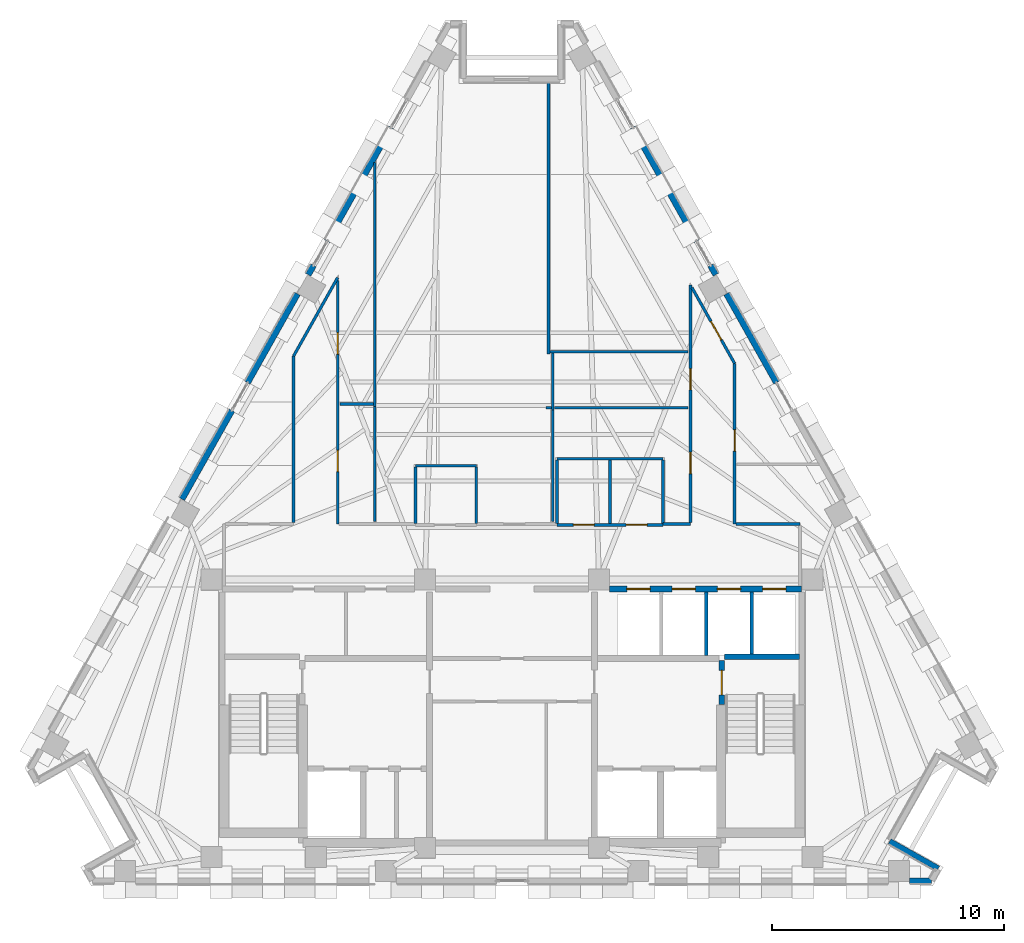
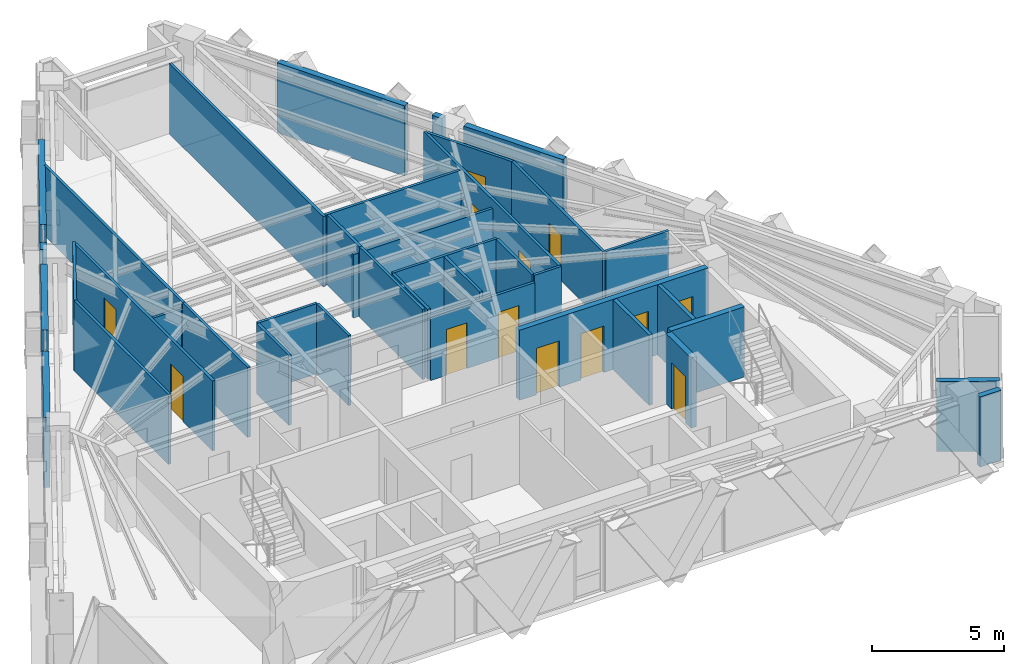
# One storey, part 8 of 12: 39 walls, 13 doors, 13 openings.
"""IFC4 building model written with IfcOpenShell, lengths in metres."""

import ifcopenshell
import ifcopenshell.guid

model = None  # the IFC model being written
_history = None  # IfcOwnerHistory: only IFC2X3 demands one
_inside = {}  # id of a spatial element -> (the spatial element, [elements in it])
_under = {}  # id of a project, library or spatial element -> (it, [spatial elements below it])
_declared = {}  # id of a project -> (the project, [libraries it declares])
_typed = {}  # id of a type object -> (the type object, [elements of that type])
_made_of = {}  # id of a material, layer set ... -> (it, [elements and type objects made of it])


def new_model(schema):
    """Start an empty IFC model of exactly this schema.

    Asked for "IFC4X3", IfcOpenShell would pick the latest addendum, in which some entities
    have other attributes; the version numbers below select the first issue.
    IFC2X3 requires an IfcOwnerHistory on every rooted entity: one is made here for all.
    """
    global model, _history
    if schema == "IFC4X3":
        model = ifcopenshell.file(schema_version=(4, 3, 0, 0))
    else:
        model = ifcopenshell.file(schema=schema)
    _inside.clear()
    _under.clear()
    _declared.clear()
    _typed.clear()
    _made_of.clear()
    _history = None
    if model.schema == "IFC2X3":
        org = make("IfcOrganization", Name="unknown")
        user = make(
            "IfcPersonAndOrganization",
            ThePerson=make("IfcPerson", FamilyName="unknown"),
            TheOrganization=org,
        )
        app = make(
            "IfcApplication",
            ApplicationDeveloper=org,
            Version="unknown",
            ApplicationFullName="unknown",
            ApplicationIdentifier="unknown",
        )
        _history = make(
            "IfcOwnerHistory",
            OwningUser=user,
            OwningApplication=app,
            ChangeAction="ADDED",
            CreationDate=0,
        )
    return model


def make(cls, **values):
    """One entity of the class cls with the attributes given. An attribute that is None is left unset."""
    return model.create_entity(
        cls, **{name: value for name, value in values.items() if value is not None}
    )


def rooted(cls, **values):
    """An entity with a GlobalId (a new one), such as an element, a storey or a relation."""
    return make(cls, GlobalId=ifcopenshell.guid.new(), OwnerHistory=_history, **values)


def si_unit(unit_type, name, prefix=None):
    """IfcSIUnit, for example si_unit("LENGTHUNIT", "METRE", prefix="MILLI")."""
    return make("IfcSIUnit", UnitType=unit_type, Prefix=prefix, Name=name)


def assignment(units):
    """IfcUnitAssignment: the units of a project."""
    return None if units is None else make("IfcUnitAssignment", Units=units)


def point(xyz):
    """IfcCartesianPoint."""
    return None if xyz is None else make("IfcCartesianPoint", Coordinates=xyz)


def direction(xyz):
    """IfcDirection."""
    return None if xyz is None else make("IfcDirection", DirectionRatios=xyz)


def frame(location, z_axis=None, x_axis=None):
    """IfcAxis2Placement3D, a coordinate frame: its origin and axes. An axis left out is left unset."""
    return make(
        "IfcAxis2Placement3D",
        Location=point(location),
        Axis=direction(z_axis),
        RefDirection=direction(x_axis),
    )


def frame_2d(location, x_axis=None):
    """IfcAxis2Placement2D, a coordinate frame in the plane: its origin and x axis."""
    return make(
        "IfcAxis2Placement2D", Location=point(location), RefDirection=direction(x_axis)
    )


def origin():
    """The frame at (0, 0, 0) with its axes left unset."""
    return frame((0.0, 0.0, 0.0))


def place(relative_to, where):
    """IfcLocalPlacement: puts the frame where relative to a parent placement (None: the world)."""
    return make(
        "IfcLocalPlacement", PlacementRelTo=relative_to, RelativePlacement=where
    )


def context(
    kind, dimensions, precision=None, world=None, true_north=None, identifier=None
):
    """IfcGeometricRepresentationContext, for example the 3D "Model" context."""
    return make(
        "IfcGeometricRepresentationContext",
        ContextIdentifier=identifier,
        ContextType=kind,
        CoordinateSpaceDimension=dimensions,
        Precision=precision,
        WorldCoordinateSystem=world,
        TrueNorth=true_north,
    )


def subcontext(parent, identifier, kind, view, scale=None):
    """IfcGeometricRepresentationSubContext, for example "Body" below "Model"."""
    return make(
        "IfcGeometricRepresentationSubContext",
        ContextIdentifier=identifier,
        ContextType=kind,
        ParentContext=parent,
        TargetScale=scale,
        TargetView=view,
    )


def project(units=None, contexts=None):
    """IfcProject with its units and contexts."""
    return rooted(
        "IfcProject",
        Name="project",
        RepresentationContexts=contexts,
        UnitsInContext=assignment(units),
    )


def spatial(cls, under=None, at=None, **own):
    """A site, building, storey or space (cls), placed at a placement, below another one or the project."""
    s = rooted(cls, ObjectPlacement=at, **own)
    if under is not None:
        _under.setdefault(under.id(), (under, []))[1].append(s)
    return s


def profile(cls, at=None, kind="AREA", **sizes):
    """A parametric profile (cls). Its sizes go by their IFC names, for example OverallWidth=200.0."""
    return make(cls, ProfileType=kind, Position=at, **sizes)


def rectangle(**sizes):
    """IfcRectangleProfileDef."""
    return profile("IfcRectangleProfileDef", **sizes)


def extrude(swept, where, along, depth):
    """IfcExtrudedAreaSolid: the profile swept, set in the frame where, extruded along a direction by depth."""
    return make(
        "IfcExtrudedAreaSolid",
        SweptArea=swept,
        Position=where,
        ExtrudedDirection=direction(along),
        Depth=depth,
    )


def shape(context_of_items, identifier, shape_type, items):
    """IfcShapeRepresentation: the items that make up one representation, for example the "Body"."""
    return make(
        "IfcShapeRepresentation",
        ContextOfItems=context_of_items,
        RepresentationIdentifier=identifier,
        RepresentationType=shape_type,
        Items=items,
    )


def material(Name=None, Category=None):
    """IfcMaterial."""
    return make("IfcMaterial", Name=Name, Category=Category)


def layer(
    of_material, thickness, ventilated=None, Name=None, Category=None, Priority=None
):
    """IfcMaterialLayer: one layer of a wall or slab, of a material (None: an air gap)."""
    return make(
        "IfcMaterialLayer",
        Material=of_material,
        LayerThickness=thickness,
        IsVentilated=ventilated,
        Name=Name,
        Category=Category,
        Priority=Priority,
    )


def layer_set(layers, Name=None):
    """IfcMaterialLayerSet."""
    return make("IfcMaterialLayerSet", MaterialLayers=layers, LayerSetName=Name)


def made_of(thing, what):
    """Note that an element or type object is made of a material, layer set ...; save() writes the relation."""
    if what is not None:
        _made_of.setdefault(what.id(), (what, []))[1].append(thing)
    return thing


def type_object(cls, material=None, **own):
    """A type object (cls), such as IfcWallType, which elements share."""
    return made_of(rooted(cls, **own), material)


def element(
    cls,
    number,
    at=None,
    inside=None,
    cuts=None,
    type_object=None,
    material=None,
    context=None,
    identifier="Body",
    shape_type=None,
    held_by="IfcProductDefinitionShape",
    body=None,
    shapes=None,
    **own,
):
    """One element of the class cls, such as IfcWall. Its Tag is "e" and its number.

    at: its placement. inside: the storey or other place that contains it. cuts: it is an
    opening in that element (IfcRelVoidsElement). A single representation is given by context,
    identifier, shape_type and body (its items); several are given by shapes. held_by: the class
    of the entity that holds the representations. save() writes the other relations.
    """
    e = rooted(cls, Tag="e%d" % number, ObjectPlacement=at, **own)
    if body is not None:
        shapes = [shape(context, identifier, shape_type, body)]
    if shapes is not None:
        e.Representation = make(held_by, Representations=shapes)
    if inside is not None:
        _inside.setdefault(inside.id(), (inside, []))[1].append(e)
    if cuts is not None:
        rooted(
            "IfcRelVoidsElement", RelatingBuildingElement=cuts, RelatedOpeningElement=e
        )
    if type_object is not None:
        _typed.setdefault(type_object.id(), (type_object, []))[1].append(e)
    return made_of(e, material)


def fill(opening, filler):
    """IfcRelFillsElement: the door or window that sits in an opening."""
    return rooted(
        "IfcRelFillsElement",
        RelatingOpeningElement=opening,
        RelatedBuildingElement=filler,
    )


def aggregate(whole, parts):
    """IfcRelAggregates: a whole, such as a stair, and the parts it consists of."""
    return rooted("IfcRelAggregates", RelatingObject=whole, RelatedObjects=parts)


def save(model, path):
    """Write the relations noted so far, then the file.

    IfcRelAggregates (storeys below a building ...), IfcRelContainedInSpatialStructure (elements
    in a storey), IfcRelDefinesByType, IfcRelAssociatesMaterial and IfcRelDeclares: one each for
    every whole, place, type object, material and project.
    """
    for whole, parts in _under.values():
        aggregate(whole, parts)
    for where, things in _inside.values():
        rooted(
            "IfcRelContainedInSpatialStructure",
            RelatedElements=things,
            RelatingStructure=where,
        )
    for kind, things in _typed.values():
        rooted("IfcRelDefinesByType", RelatedObjects=things, RelatingType=kind)
    for what, things in _made_of.values():
        rooted("IfcRelAssociatesMaterial", RelatedObjects=things, RelatingMaterial=what)
    for by, libraries in _declared.values():
        rooted("IfcRelDeclares", RelatingContext=by, RelatedDefinitions=libraries)
    model.write(path)


model = new_model("IFC4")

# Units and contexts
model_context = context("Model", 3, precision=1e-05, world=origin(), true_north=direction((0.0, 1.0)))
body_context = subcontext(model_context, "Body", "Model", "MODEL_VIEW")
ifc_project = project(units=[si_unit("LENGTHUNIT", "METRE"), si_unit("AREAUNIT", "SQUARE_METRE"), si_unit("VOLUMEUNIT", "CUBIC_METRE"), si_unit("PLANEANGLEUNIT", "RADIAN"), si_unit("MASSUNIT", "GRAM", prefix="KILO")], contexts=[model_context])

# Site, building, storey
site_placement = place(None, origin())
site = spatial("IfcSite", under=ifc_project, at=site_placement, CompositionType="ELEMENT")
building_placement = place(site_placement, origin())
building = spatial("IfcBuilding", under=site, at=building_placement, Name="Quenlor Broadcast Tower", CompositionType="ELEMENT")
storey_placement = place(building_placement, frame((0.0, 0.0, 211.39990234375)))
storey = spatial("IfcBuildingStorey", under=building, at=storey_placement, Name="L58", CompositionType="ELEMENT", Elevation=211.39990234375)

# Wall, opening, door
ifc_material_1 = material(Name="Concrete C40/50", Category="concrete")
ifc_layer_1 = layer(ifc_material_1, 0.25)
ifc_layer_set_1 = layer_set([ifc_layer_1], Name="Fire Rated Concrete C40/50 Core Wall 250")
wall_type_1 = type_object("IfcWallType", Name="Fire Rated Concrete C40/50 Core Wall 250", PredefinedType="PARTITIONING", material=ifc_layer_set_1)
wall_1_placement = place(storey_placement, frame((9.0400390625, -10.179931640625, 0.0), z_axis=(0.0, 0.0, 1.0), x_axis=(0.0, 1.0, 0.0)))
wall_1 = element("IfcWall", 1, at=wall_1_placement, inside=storey, type_object=wall_type_1, Name="L58 Interior Wall CW-ST2-DR", PredefinedType="PARTITIONING", context=body_context, shape_type="SweptSolid", body=[
    extrude(rectangle(XDim=1.89990234375, YDim=0.25, at=frame_2d((0.949951171875, 0.0))), origin(), (0.0, 0.0, 1.0), 3.25),
])
opening_1_placement = place(wall_1_placement, frame((0.419921875, 0.0, 0.0)))
opening_1 = element("IfcOpeningElement", 2, at=opening_1_placement, cuts=wall_1, Name="Opening FD-1", PredefinedType="OPENING", context=body_context, shape_type="SweptSolid", body=[
    extrude(rectangle(XDim=1.050048828125, YDim=2.14990234375, at=frame_2d((0.52490234375, 1.074951171875))), frame((0.0, 0.135009765625, 0.0), z_axis=(0.0, -1.0, 0.0), x_axis=(1.0, 0.0, 0.0)), (0.0, 0.0, 1.0), 0.27001953125),
])
ifc_material_2 = material(Name="Fire Rated Steel Door Leaf", Category="steel")
door_type_1 = type_object("IfcDoorType", Name="Fire Isolated Stair Door 1050x2150", OperationType="NOTDEFINED", PredefinedType="DOOR", material=ifc_material_2)
door_1_placement = place(opening_1_placement, origin())
door_1 = element("IfcDoor", 3, at=door_1_placement, inside=storey, type_object=door_type_1, Name="L58 Door DR-ST2", OperationType="SINGLE_SWING_RIGHT", OverallHeight=2.14990234375, OverallWidth=1.050048828125, PredefinedType="DOOR", context=body_context, shape_type="SweptSolid", body=[
    extrude(rectangle(XDim=1.050048828125, YDim=2.14990234375, at=frame_2d((0.52490234375, 1.074951171875))), frame((0.0, 0.02490234375, 0.0), z_axis=(0.0, -1.0, 0.0), x_axis=(1.0, 0.0, 0.0)), (0.0, 0.0, 1.0), 0.050048828125),
])
fill(opening_1, door_1)

# Wall
wall_2_placement = place(storey_placement, frame((9.159912109375, -8.1201171875, 0.0), z_axis=(0.0, 0.0, 1.0), x_axis=(1.0, 0.0, 0.0)))
element("IfcWall", 4, at=wall_2_placement, inside=storey, type_object=wall_type_1, Name="L58 Interior Wall CW-ST2-N", PredefinedType="PARTITIONING", context=body_context, shape_type="SweptSolid", body=[
    extrude(rectangle(XDim=3.219970703125, YDim=0.25, at=frame_2d((1.60986328125, 0.0))), origin(), (0.0, 0.0, 1.0), 3.25),
])

# Wall, openings, doors
wall_3_placement = place(storey_placement, frame((4.201904296875, -5.199951171875, 0.0), z_axis=(0.0, 0.0, 1.0), x_axis=(1.0, 0.0, 0.0)))
wall_3 = element("IfcWall", 5, at=wall_3_placement, inside=storey, type_object=wall_type_1, Name="L58 Interior Wall CW-N-E", PredefinedType="PARTITIONING", context=body_context, shape_type="SweptSolid", body=[
    extrude(rectangle(XDim=8.278076171875, YDim=0.25, at=frame_2d((4.13916015625, 0.0))), origin(), (0.0, 0.0, 1.0), 3.25),
])
opening_2_placement = place(wall_3_placement, frame((0.748046875, 0.0, 0.0)))
opening_2 = element("IfcOpeningElement", 6, at=opening_2_placement, cuts=wall_3, Name="Opening LD-PL-H1", PredefinedType="OPENING", context=body_context, shape_type="SweptSolid", body=[
    extrude(rectangle(XDim=1.0, YDim=2.14990234375, at=frame_2d((0.5, 1.074951171875))), frame((0.0, 0.135009765625, 0.0), z_axis=(0.0, -1.0, 0.0), x_axis=(1.0, 0.0, 0.0)), (0.0, 0.0, 1.0), 0.27001953125),
])
opening_3_placement = place(wall_3_placement, frame((2.697998046875, 0.0, 0.0)))
opening_3 = element("IfcOpeningElement", 7, at=opening_3_placement, cuts=wall_3, Name="Opening LD-PL-H2", PredefinedType="OPENING", context=body_context, shape_type="SweptSolid", body=[
    extrude(rectangle(XDim=1.0, YDim=2.14990234375, at=frame_2d((0.5, 1.074951171875))), frame((0.0, 0.135009765625, 0.0), z_axis=(0.0, -1.0, 0.0), x_axis=(1.0, 0.0, 0.0)), (0.0, 0.0, 1.0), 0.27001953125),
])
opening_4_placement = place(wall_3_placement, frame((4.64794921875, 0.0, 0.0)))
opening_4 = element("IfcOpeningElement", 8, at=opening_4_placement, cuts=wall_3, Name="Opening LD-PL-H3", PredefinedType="OPENING", context=body_context, shape_type="SweptSolid", body=[
    extrude(rectangle(XDim=1.0, YDim=2.14990234375, at=frame_2d((0.5, 1.074951171875))), frame((0.0, 0.135009765625, 0.0), z_axis=(0.0, -1.0, 0.0), x_axis=(1.0, 0.0, 0.0)), (0.0, 0.0, 1.0), 0.27001953125),
])
opening_5_placement = place(wall_3_placement, frame((6.597900390625, 0.0, 0.0)))
opening_5 = element("IfcOpeningElement", 9, at=opening_5_placement, cuts=wall_3, Name="Opening LD-PL-H4", PredefinedType="OPENING", context=body_context, shape_type="SweptSolid", body=[
    extrude(rectangle(XDim=1.0, YDim=2.14990234375, at=frame_2d((0.5, 1.074951171875))), frame((0.0, 0.135009765625, 0.0), z_axis=(0.0, -1.0, 0.0), x_axis=(1.0, 0.0, 0.0)), (0.0, 0.0, 1.0), 0.27001953125),
])
ifc_material_3 = material(Name="Brushed Stainless Steel", Category="steel")
door_type_2 = type_object("IfcDoorType", Name="Passenger Lift Sliding Landing Door 1000x2150", OperationType="NOTDEFINED", PredefinedType="DOOR", material=ifc_material_3)
door_2_placement = place(opening_2_placement, origin())
door_2 = element("IfcDoor", 10, at=door_2_placement, inside=storey, type_object=door_type_2, Name="L58 Door LD-PL-H1", OperationType="SLIDING_TO_RIGHT", OverallHeight=2.14990234375, OverallWidth=1.0, PredefinedType="DOOR", context=body_context, shape_type="SweptSolid", body=[
    extrude(rectangle(XDim=1.0, YDim=2.14990234375, at=frame_2d((0.5, 1.074951171875))), frame((0.0, 0.02490234375, 0.0), z_axis=(0.0, -1.0, 0.0), x_axis=(1.0, 0.0, 0.0)), (0.0, 0.0, 1.0), 0.050048828125),
])
fill(opening_2, door_2)
door_3_placement = place(opening_3_placement, origin())
door_3 = element("IfcDoor", 11, at=door_3_placement, inside=storey, type_object=door_type_2, Name="L58 Door LD-PL-H2", OperationType="SLIDING_TO_RIGHT", OverallHeight=2.14990234375, OverallWidth=1.0, PredefinedType="DOOR", context=body_context, shape_type="SweptSolid", body=[
    extrude(rectangle(XDim=1.0, YDim=2.14990234375, at=frame_2d((0.5, 1.074951171875))), frame((0.0, 0.02490234375, 0.0), z_axis=(0.0, -1.0, 0.0), x_axis=(1.0, 0.0, 0.0)), (0.0, 0.0, 1.0), 0.050048828125),
])
fill(opening_3, door_3)
door_4_placement = place(opening_4_placement, origin())
door_4 = element("IfcDoor", 12, at=door_4_placement, inside=storey, type_object=door_type_2, Name="L58 Door LD-PL-H3", OperationType="SLIDING_TO_RIGHT", OverallHeight=2.14990234375, OverallWidth=1.0, PredefinedType="DOOR", context=body_context, shape_type="SweptSolid", body=[
    extrude(rectangle(XDim=1.0, YDim=2.14990234375, at=frame_2d((0.5, 1.074951171875))), frame((0.0, 0.02490234375, 0.0), z_axis=(0.0, -1.0, 0.0), x_axis=(1.0, 0.0, 0.0)), (0.0, 0.0, 1.0), 0.050048828125),
])
fill(opening_4, door_4)
door_5_placement = place(opening_5_placement, origin())
door_5 = element("IfcDoor", 13, at=door_5_placement, inside=storey, type_object=door_type_2, Name="L58 Door LD-PL-H4", OperationType="SLIDING_TO_RIGHT", OverallHeight=2.14990234375, OverallWidth=1.0, PredefinedType="DOOR", context=body_context, shape_type="SweptSolid", body=[
    extrude(rectangle(XDim=1.0, YDim=2.14990234375, at=frame_2d((0.5, 1.074951171875))), frame((0.0, 0.02490234375, 0.0), z_axis=(0.0, -1.0, 0.0), x_axis=(1.0, 0.0, 0.0)), (0.0, 0.0, 1.0), 0.050048828125),
])
fill(opening_5, door_5)

# Walls
ifc_material_4 = material(Name="Gypsum Fireboard Partition", Category="other")
ifc_layer_2 = layer(ifc_material_4, 0.159912109375)
ifc_layer_set_2 = layer_set([ifc_layer_2], Name="Fire Rated Shaft and Corridor Partition 160")
wall_type_2 = type_object("IfcWallType", Name="Fire Rated Shaft and Corridor Partition 160", PredefinedType="PARTITIONING", material=ifc_layer_set_2)
wall_4_placement = place(storey_placement, frame((8.375, -8.072998046875, 0.0), z_axis=(0.0, 0.0, 1.0), x_axis=(0.0, 1.0, 0.0)))
element("IfcWall", 14, at=wall_4_placement, inside=storey, type_object=wall_type_2, Name="L58 Interior Wall CW-PLH-D2", PredefinedType="PARTITIONING", context=body_context, shape_type="SweptSolid", body=[
    extrude(rectangle(XDim=2.73291015625, YDim=0.159912109375, at=frame_2d((1.366455078125, 0.0))), origin(), (0.0, 0.0, 1.0), 3.25),
])
wall_5_placement = place(storey_placement, frame((10.324951171875, -7.992919921875, 0.0), z_axis=(0.0, 0.0, 1.0), x_axis=(0.0, 1.0, 0.0)))
element("IfcWall", 15, at=wall_5_placement, inside=storey, type_object=wall_type_2, Name="L58 Interior Wall CW-PLH-D3", PredefinedType="PARTITIONING", context=body_context, shape_type="SweptSolid", body=[
    extrude(rectangle(XDim=2.65283203125, YDim=0.159912109375, at=frame_2d((1.326416015625, 0.0))), origin(), (0.0, 0.0, 1.0), 3.25),
])
ifc_material_5 = material(Name="Gypsum Plasterboard Partition", Category="other")
ifc_layer_3 = layer(ifc_material_5, 0.1201171875)
ifc_layer_set_3 = layer_set([ifc_layer_3], Name="Standard Office Partition 120")
wall_type_3 = type_object("IfcWallType", Name="Standard Office Partition 120", PredefinedType="PARTITIONING", material=ifc_layer_set_3)
wall_6_placement = place(storey_placement, frame((-4.159912109375, 0.110107421875, 0.0), z_axis=(0.0, 0.0, 1.0), x_axis=(1.0, 0.0, 0.0)))
element("IfcWall", 16, at=wall_6_placement, inside=storey, type_object=wall_type_3, Name="L58 Interior Wall PW-AWC-N", PredefinedType="PARTITIONING", context=body_context, shape_type="SweptSolid", body=[
    extrude(rectangle(XDim=2.619873046875, YDim=0.1201171875, at=frame_2d((1.31005859375, 0.0))), origin(), (0.0, 0.0, 1.0), 3.25),
])
for number, where, z_axis, x_axis, name in (
    (17, (-4.159912109375, -2.3779296875, 0.0), (0.0, 0.0, 1.0), (0.0, 1.0, 0.0), "L58 Interior Wall PW-AWC-W"),
    (18, (-1.5400390625, -2.3779296875, 0.0), (0.0, 0.0, 1.0), (0.0, 1.0, 0.0), "L58 Interior Wall PW-AWC-E"),
):
    element("IfcWall", number, at=place(storey_placement, frame(where, z_axis=z_axis, x_axis=x_axis)), inside=storey, type_object=wall_type_3, Name=name, PredefinedType="PARTITIONING", context=body_context, shape_type="SweptSolid", body=[
        extrude(rectangle(XDim=2.426025390625, YDim=0.1201171875, at=frame_2d((1.212890625, 0.0))), origin(), (0.0, 0.0, 1.0), 3.25),
    ])

# Wall, openings, doors
wall_7_placement = place(storey_placement, frame((1.93994140625, -2.43994140625, 0.0), z_axis=(0.0, 0.0, 1.0), x_axis=(1.0, 0.0, 0.0)))
wall_7 = element("IfcWall", 19, at=wall_7_placement, inside=storey, type_object=wall_type_3, Name="L58 Interior Wall PW-WC-S", PredefinedType="PARTITIONING", context=body_context, shape_type="SweptSolid", body=[
    extrude(rectangle(XDim=4.570068359375, YDim=0.1201171875, at=frame_2d((2.28515625, 0.0))), origin(), (0.0, 0.0, 1.0), 2.94287109375),
])
opening_6_placement = place(wall_7_placement, frame((0.699951171875, 0.0, 0.0)))
opening_6 = element("IfcOpeningElement", 20, at=opening_6_placement, cuts=wall_7, Name="Opening ID-3", PredefinedType="OPENING", context=body_context, shape_type="SweptSolid", body=[
    extrude(rectangle(XDim=0.89990234375, YDim=2.1201171875, at=frame_2d((0.449951171875, 1.06005859375))), frame((0.0, 0.070068359375, 0.0), z_axis=(0.0, -1.0, 0.0), x_axis=(1.0, 0.0, 0.0)), (0.0, 0.0, 1.0), 0.14013671875),
])
opening_7_placement = place(wall_7_placement, frame((2.97998046875, 0.0, 0.0)))
opening_7 = element("IfcOpeningElement", 21, at=opening_7_placement, cuts=wall_7, Name="Opening ID-3", PredefinedType="OPENING", context=body_context, shape_type="SweptSolid", body=[
    extrude(rectangle(XDim=0.89990234375, YDim=2.1201171875, at=frame_2d((0.449951171875, 1.06005859375))), frame((0.0, 0.070068359375, 0.0), z_axis=(0.0, -1.0, 0.0), x_axis=(1.0, 0.0, 0.0)), (0.0, 0.0, 1.0), 0.14013671875),
])
ifc_material_6 = material(Name="Moisture Resistant Timber Oak", Category="wood")
door_type_3 = type_object("IfcDoorType", Name="Washroom Privacy Door 900x2120", OperationType="NOTDEFINED", PredefinedType="DOOR", material=ifc_material_6)
door_6_placement = place(opening_6_placement, origin())
door_6 = element("IfcDoor", 22, at=door_6_placement, inside=storey, type_object=door_type_3, Name="L58 Door DR-MWC", OperationType="SINGLE_SWING_LEFT", OverallHeight=2.1201171875, OverallWidth=0.89990234375, PredefinedType="DOOR", context=body_context, shape_type="SweptSolid", body=[
    extrude(rectangle(XDim=0.89990234375, YDim=2.1201171875, at=frame_2d((0.449951171875, 1.06005859375))), frame((0.0, 0.02490234375, 0.0), z_axis=(0.0, -1.0, 0.0), x_axis=(1.0, 0.0, 0.0)), (0.0, 0.0, 1.0), 0.050048828125),
])
fill(opening_6, door_6)
door_7_placement = place(opening_7_placement, origin())
door_7 = element("IfcDoor", 23, at=door_7_placement, inside=storey, type_object=door_type_3, Name="L58 Door DR-FWC", OperationType="SINGLE_SWING_RIGHT", OverallHeight=2.1201171875, OverallWidth=0.89990234375, PredefinedType="DOOR", context=body_context, shape_type="SweptSolid", body=[
    extrude(rectangle(XDim=0.89990234375, YDim=2.1201171875, at=frame_2d((0.449951171875, 1.06005859375))), frame((0.0, 0.02490234375, 0.0), z_axis=(0.0, -1.0, 0.0), x_axis=(1.0, 0.0, 0.0)), (0.0, 0.0, 1.0), 0.050048828125),
])
fill(opening_7, door_7)

# Walls
wall_8_placement = place(storey_placement, frame((1.93994140625, 0.409912109375, 0.0), z_axis=(0.0, 0.0, 1.0), x_axis=(1.0, 0.0, 0.0)))
element("IfcWall", 24, at=wall_8_placement, inside=storey, type_object=wall_type_3, Name="L58 Interior Wall PW-WC-N", PredefinedType="PARTITIONING", context=body_context, shape_type="SweptSolid", body=[
    extrude(rectangle(XDim=4.570068359375, YDim=0.1201171875, at=frame_2d((2.28515625, 0.0))), origin(), (0.0, 0.0, 1.0), 3.25),
])
for number, where, z_axis, x_axis, name in (
    (25, (1.93994140625, -2.3779296875, 0.0), (0.0, 0.0, 1.0), (0.0, 1.0, 0.0), "L58 Interior Wall PW-WC-W"),
    (26, (4.219970703125, -2.3779296875, 0.0), (0.0, 0.0, 1.0), (0.0, 1.0, 0.0), "L58 Interior Wall PW-WC-M"),
    (27, (6.510009765625, -2.3779296875, 0.0), (0.0, 0.0, 1.0), (0.0, 1.0, 0.0), "L58 Interior Wall PW-WC-E"),
):
    element("IfcWall", number, at=place(storey_placement, frame(where, z_axis=z_axis, x_axis=x_axis)), inside=storey, type_object=wall_type_3, Name=name, PredefinedType="PARTITIONING", context=body_context, shape_type="SweptSolid", body=[
        extrude(rectangle(XDim=2.725830078125, YDim=0.1201171875, at=frame_2d((1.36279296875, 0.0))), origin(), (0.0, 0.0, 1.0), 3.25),
    ])
wall_9_placement = place(storey_placement, frame((-9.409912109375, -2.337890625, 0.0), z_axis=(0.0, 0.0, 1.0), x_axis=(0.0, 1.0, 0.0)))
element("IfcWall", 28, at=wall_9_placement, inside=storey, type_object=wall_type_3, Name="L58 Interior Wall PW-CR-03", PredefinedType="PARTITIONING", context=body_context, shape_type="SweptSolid", body=[
    extrude(rectangle(XDim=7.173828125, YDim=0.1201171875, at=frame_2d((3.5869140625, 0.0))), origin(), (0.0, 0.0, 1.0), 3.25),
])
wall_10_placement = place(storey_placement, frame((-9.408935546875, 4.837890625, 0.0), z_axis=(0.0, 0.0, 1.0), x_axis=(0.490276203052, 0.871567120032, 0.0)))
element("IfcWall", 29, at=wall_10_placement, inside=storey, type_object=wall_type_3, Name="L58 Interior Wall PW-CR-04", PredefinedType="PARTITIONING", context=body_context, shape_type="SweptSolid", body=[
    extrude(rectangle(XDim=3.873291015625, YDim=0.1201171875, at=frame_2d((1.9365234375, 0.0))), origin(), (0.0, 0.0, 1.0), 3.25),
])

# Wall, openings, doors
wall_11_placement = place(storey_placement, frame((-7.510009765625, 8.087158203125, 0.0), z_axis=(0.0, 0.0, 1.0), x_axis=(0.0, -1.0, 0.0)))
wall_11 = element("IfcWall", 30, at=wall_11_placement, inside=storey, type_object=wall_type_3, Name="L58 Interior Wall PW-CR-05", PredefinedType="PARTITIONING", context=body_context, shape_type="SweptSolid", body=[
    extrude(rectangle(XDim=10.487060546875, YDim=0.1201171875, at=frame_2d((5.24365234375, 0.0))), origin(), (0.0, 0.0, 1.0), 3.25),
])
opening_8_placement = place(wall_11_placement, frame((2.2470703125, 0.0, 0.0)))
opening_8 = element("IfcOpeningElement", 31, at=opening_8_placement, cuts=wall_11, Name="Opening ID-1", PredefinedType="OPENING", context=body_context, shape_type="SweptSolid", body=[
    extrude(rectangle(XDim=0.919921875, YDim=2.1201171875, at=frame_2d((0.4599609375, 1.06005859375))), frame((0.0, 0.070068359375, 0.0), z_axis=(0.0, -1.0, 0.0), x_axis=(1.0, 0.0, 0.0)), (0.0, 0.0, 1.0), 0.14013671875),
])
opening_9_placement = place(wall_11_placement, frame((7.31396484375, 0.0, 0.0)))
opening_9 = element("IfcOpeningElement", 32, at=opening_9_placement, cuts=wall_11, Name="Opening ID-1", PredefinedType="OPENING", context=body_context, shape_type="SweptSolid", body=[
    extrude(rectangle(XDim=0.919921875, YDim=2.1201171875, at=frame_2d((0.4599609375, 1.06005859375))), frame((0.0, 0.070068359375, 0.0), z_axis=(0.0, -1.0, 0.0), x_axis=(1.0, 0.0, 0.0)), (0.0, 0.0, 1.0), 0.14013671875),
])
ifc_material_7 = material(Name="Solid Core Timber Oak", Category="wood")
door_type_4 = type_object("IfcDoorType", Name="Single Leaf Timber Office Door 920x2120", OperationType="NOTDEFINED", PredefinedType="DOOR", material=ifc_material_7)
door_8_placement = place(opening_8_placement, origin())
door_8 = element("IfcDoor", 33, at=door_8_placement, inside=storey, type_object=door_type_4, Name="L58 Door DR-RM03", OperationType="SINGLE_SWING_LEFT", OverallHeight=2.1201171875, OverallWidth=0.919921875, PredefinedType="DOOR", context=body_context, shape_type="SweptSolid", body=[
    extrude(rectangle(XDim=0.919921875, YDim=2.1201171875, at=frame_2d((0.4599609375, 1.06005859375))), frame((0.0, 0.02490234375, 0.0), z_axis=(0.0, -1.0, 0.0), x_axis=(1.0, 0.0, 0.0)), (0.0, 0.0, 1.0), 0.050048828125),
])
fill(opening_8, door_8)
door_9_placement = place(opening_9_placement, origin())
door_9 = element("IfcDoor", 34, at=door_9_placement, inside=storey, type_object=door_type_4, Name="L58 Door DR-RM07", OperationType="SINGLE_SWING_LEFT", OverallHeight=2.1201171875, OverallWidth=0.919921875, PredefinedType="DOOR", context=body_context, shape_type="SweptSolid", body=[
    extrude(rectangle(XDim=0.919921875, YDim=2.1201171875, at=frame_2d((0.4599609375, 1.06005859375))), frame((0.0, 0.02490234375, 0.0), z_axis=(0.0, -1.0, 0.0), x_axis=(1.0, 0.0, 0.0)), (0.0, 0.0, 1.0), 0.050048828125),
])
fill(opening_9, door_9)

# Wall
wall_12_placement = place(storey_placement, frame((6.511962890625, -2.39990234375, 0.0), z_axis=(0.0, 0.0, 1.0), x_axis=(1.0, 0.0, 0.0)))
element("IfcWall", 35, at=wall_12_placement, inside=storey, type_object=wall_type_3, Name="L58 Interior Wall PW-CR-06S3", PredefinedType="PARTITIONING", context=body_context, shape_type="SweptSolid", body=[
    extrude(rectangle(XDim=1.177978515625, YDim=0.1201171875, at=frame_2d((0.5888671875, 0.0))), origin(), (0.0, 0.0, 1.0), 3.25),
])

# Wall, openings, doors
wall_13_placement = place(storey_placement, frame((7.68994140625, -2.337890625, 0.0), z_axis=(0.0, 0.0, 1.0), x_axis=(0.0, 1.0, 0.0)))
wall_13 = element("IfcWall", 36, at=wall_13_placement, inside=storey, type_object=wall_type_3, Name="L58 Interior Wall PW-CR-07", PredefinedType="PARTITIONING", context=body_context, shape_type="SweptSolid", body=[
    extrude(rectangle(XDim=10.231689453125, YDim=0.1201171875, at=frame_2d((5.11572265625, 0.0))), origin(), (0.0, 0.0, 1.0), 3.25),
])
opening_10_placement = place(wall_13_placement, frame((5.7109375, 0.0, 0.0)))
opening_10 = element("IfcOpeningElement", 37, at=opening_10_placement, cuts=wall_13, Name="Opening ID-1", PredefinedType="OPENING", context=body_context, shape_type="SweptSolid", body=[
    extrude(rectangle(XDim=0.919921875, YDim=2.1201171875, at=frame_2d((0.4599609375, 1.06005859375))), frame((0.0, 0.070068359375, 0.0), z_axis=(0.0, -1.0, 0.0), x_axis=(1.0, 0.0, 0.0)), (0.0, 0.0, 1.0), 0.14013671875),
])
opening_11_placement = place(wall_13_placement, frame((2.110107421875, 0.0, 0.0)))
opening_11 = element("IfcOpeningElement", 38, at=opening_11_placement, cuts=wall_13, Name="Opening ID-1", PredefinedType="OPENING", context=body_context, shape_type="SweptSolid", body=[
    extrude(rectangle(XDim=0.919921875, YDim=2.1201171875, at=frame_2d((0.4599609375, 1.06005859375))), frame((0.0, 0.070068359375, 0.0), z_axis=(0.0, -1.0, 0.0), x_axis=(1.0, 0.0, 0.0)), (0.0, 0.0, 1.0), 0.14013671875),
])
door_10_placement = place(opening_10_placement, origin())
door_10 = element("IfcDoor", 39, at=door_10_placement, inside=storey, type_object=door_type_4, Name="L58 Door DR-RM04", OperationType="SINGLE_SWING_RIGHT", OverallHeight=2.1201171875, OverallWidth=0.919921875, PredefinedType="DOOR", context=body_context, shape_type="SweptSolid", body=[
    extrude(rectangle(XDim=0.919921875, YDim=2.1201171875, at=frame_2d((0.4599609375, 1.06005859375))), frame((0.0, 0.02490234375, 0.0), z_axis=(0.0, -1.0, 0.0), x_axis=(1.0, 0.0, 0.0)), (0.0, 0.0, 1.0), 0.050048828125),
])
fill(opening_10, door_10)
door_11_placement = place(opening_11_placement, origin())
door_11 = element("IfcDoor", 40, at=door_11_placement, inside=storey, type_object=door_type_4, Name="L58 Door DR-RM06", OperationType="SINGLE_SWING_RIGHT", OverallHeight=2.1201171875, OverallWidth=0.919921875, PredefinedType="DOOR", context=body_context, shape_type="SweptSolid", body=[
    extrude(rectangle(XDim=0.919921875, YDim=2.1201171875, at=frame_2d((0.4599609375, 1.06005859375))), frame((0.0, 0.02490234375, 0.0), z_axis=(0.0, -1.0, 0.0), x_axis=(1.0, 0.0, 0.0)), (0.0, 0.0, 1.0), 0.050048828125),
])
fill(opening_11, door_11)

# Wall, opening, door
wall_14_placement = place(storey_placement, frame((7.751953125, 7.783447265625, 0.0), z_axis=(0.0, 0.0, 1.0), x_axis=(0.490285973315, -0.871561623966, 0.0)))
wall_14 = element("IfcWall", 41, at=wall_14_placement, inside=storey, type_object=wall_type_3, Name="L58 Interior Wall PW-CR-08", PredefinedType="PARTITIONING", context=body_context, shape_type="SweptSolid", body=[
    extrude(rectangle(XDim=3.7490234375, YDim=0.1201171875, at=frame_2d((1.87451171875, 0.0))), origin(), (0.0, 0.0, 1.0), 3.25),
])
opening_12_placement = place(wall_14_placement, frame((1.6689453125, 0.0, 0.0)))
opening_12 = element("IfcOpeningElement", 42, at=opening_12_placement, cuts=wall_14, Name="Opening ID-1", PredefinedType="OPENING", context=body_context, shape_type="SweptSolid", body=[
    extrude(rectangle(XDim=0.919921875, YDim=2.1201171875, at=frame_2d((0.4599609375, 1.06005859375))), frame((0.0, 0.070068359375, 0.0), z_axis=(0.0, -1.0, 0.0), x_axis=(1.0, 0.0, 0.0)), (0.0, 0.0, 1.0), 0.14013671875),
])
door_12_placement = place(opening_12_placement, origin())
door_12 = element("IfcDoor", 43, at=door_12_placement, inside=storey, type_object=door_type_4, Name="L58 Door DR-RM01", OperationType="SINGLE_SWING_LEFT", OverallHeight=2.1201171875, OverallWidth=0.919921875, PredefinedType="DOOR", context=body_context, shape_type="SweptSolid", body=[
    extrude(rectangle(XDim=0.919921875, YDim=2.1201171875, at=frame_2d((0.4599609375, 1.06005859375))), frame((0.0, 0.02490234375, 0.0), z_axis=(0.0, -1.0, 0.0), x_axis=(1.0, 0.0, 0.0)), (0.0, 0.0, 1.0), 0.050048828125),
])
fill(opening_12, door_12)

wall_15_placement = place(storey_placement, frame((9.590087890625, 4.513671875, 0.0), z_axis=(0.0, 0.0, 1.0), x_axis=(0.0, -1.0, 0.0)))
wall_15 = element("IfcWall", 44, at=wall_15_placement, inside=storey, type_object=wall_type_3, Name="L58 Interior Wall PW-CR-09", PredefinedType="PARTITIONING", context=body_context, shape_type="SweptSolid", body=[
    extrude(rectangle(XDim=6.91357421875, YDim=0.1201171875, at=frame_2d((3.456787109375, 0.0))), origin(), (0.0, 0.0, 1.0), 3.25),
])
opening_13_placement = place(wall_15_placement, frame((2.860107421875, 0.0, 0.0)))
opening_13 = element("IfcOpeningElement", 45, at=opening_13_placement, cuts=wall_15, Name="Opening ID-1", PredefinedType="OPENING", context=body_context, shape_type="SweptSolid", body=[
    extrude(rectangle(XDim=0.919921875, YDim=2.1201171875, at=frame_2d((0.4599609375, 1.06005859375))), frame((0.0, 0.070068359375, 0.0), z_axis=(0.0, -1.0, 0.0), x_axis=(1.0, 0.0, 0.0)), (0.0, 0.0, 1.0), 0.14013671875),
])
door_13_placement = place(opening_13_placement, origin())
door_13 = element("IfcDoor", 46, at=door_13_placement, inside=storey, type_object=door_type_4, Name="L58 Door DR-RM05", OperationType="SINGLE_SWING_LEFT", OverallHeight=2.1201171875, OverallWidth=0.919921875, PredefinedType="DOOR", context=body_context, shape_type="SweptSolid", body=[
    extrude(rectangle(XDim=0.919921875, YDim=2.1201171875, at=frame_2d((0.4599609375, 1.06005859375))), frame((0.0, 0.02490234375, 0.0), z_axis=(0.0, -1.0, 0.0), x_axis=(1.0, 0.0, 0.0)), (0.0, 0.0, 1.0), 0.050048828125),
])
fill(opening_13, door_13)

# Walls
wall_16_placement = place(storey_placement, frame((9.652099609375, -2.39990234375, 0.0), z_axis=(0.0, 0.0, 1.0), x_axis=(1.0, 0.0, 0.0)))
element("IfcWall", 47, at=wall_16_placement, inside=storey, type_object=wall_type_3, Name="L58 Interior Wall PW-CR-10", PredefinedType="PARTITIONING", context=body_context, shape_type="SweptSolid", body=[
    extrude(rectangle(XDim=2.7578125, YDim=0.1201171875, at=frame_2d((1.37890625, 0.0))), origin(), (0.0, 0.0, 1.0), 3.25),
])
wall_17_placement = place(storey_placement, frame((1.570068359375, 4.919921875, 0.0), z_axis=(0.0, 0.0, 1.0), x_axis=(0.0, 1.0, 0.0)))
element("IfcWall", 48, at=wall_17_placement, inside=storey, type_object=wall_type_3, Name="L58 Interior Wall PW-DV-01", PredefinedType="PARTITIONING", context=body_context, shape_type="SweptSolid", body=[
    extrude(rectangle(XDim=11.7099609375, YDim=0.1201171875, at=frame_2d((5.85498046875, 0.0))), origin(), (0.0, 0.0, 1.0), 3.25),
])
wall_18_placement = place(storey_placement, frame((7.580078125, 5.02001953125, 0.0), z_axis=(0.0, 0.0, 1.0), x_axis=(-1.0, 0.0, 0.0)))
element("IfcWall", 49, at=wall_18_placement, inside=storey, type_object=wall_type_3, Name="L58 Interior Wall PW-DV-02", PredefinedType="PARTITIONING", context=body_context, shape_type="SweptSolid", body=[
    extrude(rectangle(XDim=5.947998046875, YDim=0.1201171875, at=frame_2d((2.97412109375, 0.0))), origin(), (0.0, 0.0, 1.0), 3.25),
])
wall_19_placement = place(storey_placement, frame((-5.909912109375, 2.66650390625, 0.0), z_axis=(0.0, 0.0, 1.0), x_axis=(0.0, 1.0, 0.0)))
element("IfcWall", 50, at=wall_19_placement, inside=storey, type_object=wall_type_3, Name="L58 Interior Wall PW-DV-03", PredefinedType="PARTITIONING", context=body_context, shape_type="SweptSolid", body=[
    extrude(rectangle(XDim=10.49853515625, YDim=0.1201171875, at=frame_2d((5.249267578125, 0.0))), origin(), (0.0, 0.0, 1.0), 3.25),
])
wall_20_placement = place(storey_placement, frame((1.760009765625, 4.9580078125, 0.0), z_axis=(0.0, 0.0, 1.0), x_axis=(0.0, -1.0, 0.0)))
element("IfcWall", 51, at=wall_20_placement, inside=storey, type_object=wall_type_3, Name="L58 Interior Wall PW-DV-04", PredefinedType="PARTITIONING", context=body_context, shape_type="SweptSolid", body=[
    extrude(rectangle(XDim=2.45166015625, YDim=0.1201171875, at=frame_2d((1.225830078125, 0.0))), origin(), (0.0, 0.0, 1.0), 3.25),
])
wall_21_placement = place(storey_placement, frame((1.760009765625, 2.50439453125, 0.0), z_axis=(0.0, 0.0, 1.0), x_axis=(0.0, -1.0, 0.0)))
element("IfcWall", 52, at=wall_21_placement, inside=storey, type_object=wall_type_3, Name="L58 Interior Wall PW-DV-05", PredefinedType="PARTITIONING", context=body_context, shape_type="SweptSolid", body=[
    extrude(rectangle(XDim=4.79443359375, YDim=0.1201171875, at=frame_2d((2.397216796875, 0.0))), origin(), (0.0, 0.0, 1.0), 3.25),
])
wall_22_placement = place(storey_placement, frame((-5.909912109375, -2.2900390625, 0.0), z_axis=(0.0, 0.0, 1.0), x_axis=(0.0, 1.0, 0.0)))
element("IfcWall", 53, at=wall_22_placement, inside=storey, type_object=wall_type_3, Name="L58 Interior Wall PW-DV-06", PredefinedType="PARTITIONING", context=body_context, shape_type="SweptSolid", body=[
    extrude(rectangle(XDim=4.954345703125, YDim=0.1201171875, at=frame_2d((2.47705078125, 0.0))), origin(), (0.0, 0.0, 1.0), 3.25),
])
wall_23_placement = place(storey_placement, frame((-5.971923828125, 2.766357421875, 0.0), z_axis=(0.0, 0.0, 1.0), x_axis=(-1.0, 0.0, 0.0)))
element("IfcWall", 54, at=wall_23_placement, inside=storey, type_object=wall_type_3, Name="L58 Interior Wall PW-DV-07", PredefinedType="PARTITIONING", context=body_context, shape_type="SweptSolid", body=[
    extrude(rectangle(XDim=1.427978515625, YDim=0.1201171875, at=frame_2d((0.7138671875, 0.0))), origin(), (0.0, 0.0, 1.0), 2.94287109375),
])
wall_24_placement = place(storey_placement, frame((7.580078125, 2.6064453125, 0.0), z_axis=(0.0, 0.0, 1.0), x_axis=(-1.0, 0.0, 0.0)))
element("IfcWall", 55, at=wall_24_placement, inside=storey, type_object=wall_type_3, Name="L58 Interior Wall PW-DV-08", PredefinedType="PARTITIONING", context=body_context, shape_type="SweptSolid", body=[
    extrude(rectangle(XDim=5.758056640625, YDim=0.1201171875, at=frame_2d((2.87890625, 0.0))), origin(), (0.0, 0.0, 1.0), 2.94287109375),
])
wall_25_placement = place(storey_placement, frame((1.697998046875, 2.6064453125, 0.0), z_axis=(0.0, 0.0, 1.0), x_axis=(-1.0, 0.0, 0.0)))
element("IfcWall", 56, at=wall_25_placement, inside=storey, type_object=wall_type_3, Name="L58 Interior Wall PW-DV-08S2", PredefinedType="PARTITIONING", context=body_context, shape_type="SweptSolid", body=[
    extrude(rectangle(XDim=0.22802734375, YDim=0.1201171875, at=frame_2d((0.114013671875, 0.0))), origin(), (0.0, 0.0, 1.0), 2.94287109375),
])
ifc_material_8 = material(Name="Precast concrete C40/50", Category="concrete")
ifc_layer_4 = layer(ifc_material_8, 0.239990234375)
ifc_layer_set_4 = layer_set([ifc_layer_4], Name="Terrace Threshold Precast Concrete C40/50 Wall 240")
wall_type_4 = type_object("IfcWallType", Name="Terrace Threshold Precast Concrete C40/50 Wall 240", PredefinedType="STANDARD", material=ifc_layer_set_4)
wall_26_placement = place(storey_placement, frame((18.06591796875, -17.77490234375, 0.0), z_axis=(0.0, 0.0, 1.0), x_axis=(-1.0, 0.0, 0.0)))
element("IfcWall", 57, at=wall_26_placement, inside=storey, type_object=wall_type_4, Name="L58 Exterior Wall L58-SHD-SS0", PredefinedType="STANDARD", context=body_context, shape_type="SweptSolid", body=[
    extrude(rectangle(XDim=0.93505859375, YDim=0.239990234375, at=frame_2d((0.467529296875, 0.0))), origin(), (0.0, 0.0, 1.0), 3.25),
])
wall_27_placement = place(storey_placement, frame((18.365966796875, -17.246826171875, 0.0), z_axis=(0.0, 0.0, 1.0), x_axis=(-0.871597270235, 0.490222600988, 0.0)))
element("IfcWall", 58, at=wall_27_placement, inside=storey, type_object=wall_type_4, Name="L58 Exterior Wall L58-CNR-01", PredefinedType="STANDARD", context=body_context, shape_type="SweptSolid", body=[
    extrude(rectangle(XDim=2.39990234375, YDim=0.239990234375, at=frame_2d((1.199951171875, 0.0))), origin(), (0.0, 0.0, 1.0), 3.25),
])
ifc_material_9 = material(Name="Precast concrete C40/50", Category="concrete")
ifc_layer_5 = layer(ifc_material_9, 0.260009765625)
ifc_layer_set_5 = layer_set([ifc_layer_5], Name="Terracotta Precast Concrete C40/50 Upper Wall 260")
wall_type_5 = type_object("IfcWallType", Name="Terracotta Precast Concrete C40/50 Upper Wall 260", PredefinedType="STANDARD", material=ifc_layer_set_5)
wall_28_placement = place(storey_placement, frame((5.2080078125, 14.682373046875, 0.0), z_axis=(0.0, 0.0, 1.0), x_axis=(0.490240608828, -0.871587141631, 0.0)))
element("IfcWall", 59, at=wall_28_placement, inside=storey, type_object=wall_type_5, Name="L58 Exterior Wall L58-NEA-SP2", PredefinedType="STANDARD", context=body_context, shape_type="SweptSolid", body=[
    extrude(rectangle(XDim=5.618408203125, YDim=0.260009765625, at=frame_2d((2.80908203125, 0.0))), origin(), (0.0, 0.0, 1.0), 3.25),
])
wall_29_placement = place(storey_placement, frame((8.551513671875, 8.73828125, 0.0), z_axis=(0.0, 0.0, 1.0), x_axis=(0.490412424957, -0.871490478116, 0.0)))
element("IfcWall", 60, at=wall_29_placement, inside=storey, type_object=wall_type_5, Name="L58 Exterior Wall L58-NEA-SP3", PredefinedType="STANDARD", context=body_context, shape_type="SweptSolid", body=[
    extrude(rectangle(XDim=0.4599609375, YDim=0.260009765625, at=frame_2d((0.22998046875, 0.0))), origin(), (0.0, 0.0, 1.0), 3.25),
])
wall_30_placement = place(storey_placement, frame((9.240478515625, 7.513671875, 0.0), z_axis=(0.0, 0.0, 1.0), x_axis=(0.490237464814, -0.871588910033, 0.0)))
element("IfcWall", 61, at=wall_30_placement, inside=storey, type_object=wall_type_5, Name="L58 Exterior Wall L58-NE-SP1", PredefinedType="STANDARD", context=body_context, shape_type="SweptSolid", body=[
    extrude(rectangle(XDim=4.387939453125, YDim=0.260009765625, at=frame_2d((2.19384765625, 0.0))), origin(), (0.0, 0.0, 1.0), 3.25),
])
wall_31_placement = place(storey_placement, frame((-8.777099609375, 8.33740234375, 0.0), z_axis=(0.0, 0.0, 1.0), x_axis=(0.490412424957, 0.871490478116, 0.0)))
element("IfcWall", 62, at=wall_31_placement, inside=storey, type_object=wall_type_5, Name="L58 Exterior Wall L58-NWC-SP1", PredefinedType="STANDARD", context=body_context, shape_type="SweptSolid", body=[
    extrude(rectangle(XDim=0.4599609375, YDim=0.260009765625, at=frame_2d((0.22998046875, 0.0))), origin(), (0.0, 0.0, 1.0), 3.25),
])
wall_32_placement = place(storey_placement, frame((-7.96240234375, 9.785400390625, 0.0), z_axis=(0.0, 0.0, 1.0), x_axis=(0.490240608828, 0.871587141631, 0.0)))
element("IfcWall", 63, at=wall_32_placement, inside=storey, type_object=wall_type_5, Name="L58 Exterior Wall L58-NWC-SP2", PredefinedType="STANDARD", context=body_context, shape_type="SweptSolid", body=[
    extrude(rectangle(XDim=5.618408203125, YDim=0.260009765625, at=frame_2d((2.80908203125, 0.0))), origin(), (0.0, 0.0, 1.0), 3.25),
])
wall_33_placement = place(storey_placement, frame((-14.21728515625, -1.334228515625, 0.0), z_axis=(0.0, 0.0, 1.0), x_axis=(0.490261239633, 0.871575537125, 0.0)))
element("IfcWall", 64, at=wall_33_placement, inside=storey, type_object=wall_type_5, Name="L58 Exterior Wall L58-NW-SP1", PredefinedType="STANDARD", context=body_context, shape_type="SweptSolid", body=[
    extrude(rectangle(XDim=4.3876953125, YDim=0.260009765625, at=frame_2d((2.19384765625, 0.0))), origin(), (0.0, 0.0, 1.0), 3.25),
])
wall_34_placement = place(storey_placement, frame((-11.3916015625, 3.689208984375, 0.0), z_axis=(0.0, 0.0, 1.0), x_axis=(0.490237464814, 0.871588910033, 0.0)))
element("IfcWall", 65, at=wall_34_placement, inside=storey, type_object=wall_type_5, Name="L58 Exterior Wall L58-NW-SP2", PredefinedType="STANDARD", context=body_context, shape_type="SweptSolid", body=[
    extrude(rectangle(XDim=4.387939453125, YDim=0.260009765625, at=frame_2d((2.19384765625, 0.0))), origin(), (0.0, 0.0, 1.0), 3.25),
])

save(model, "model.ifc")
